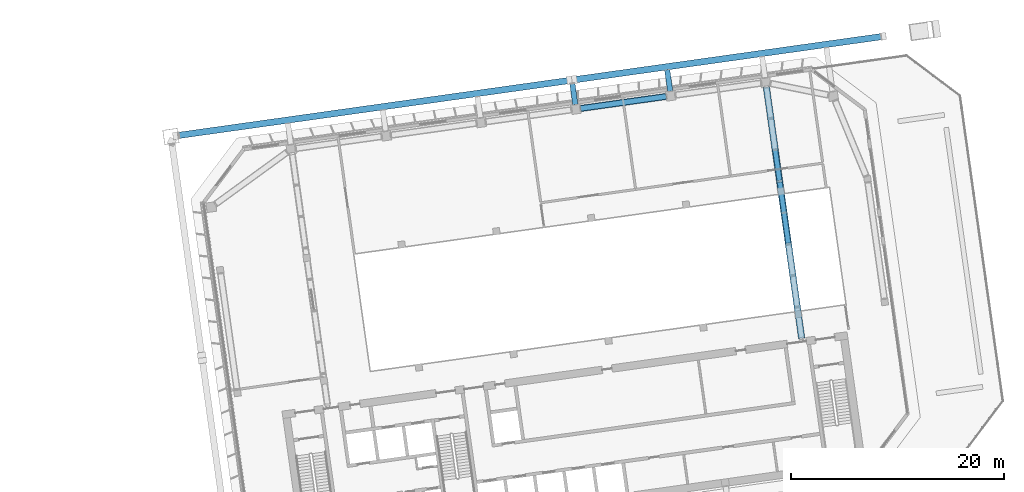
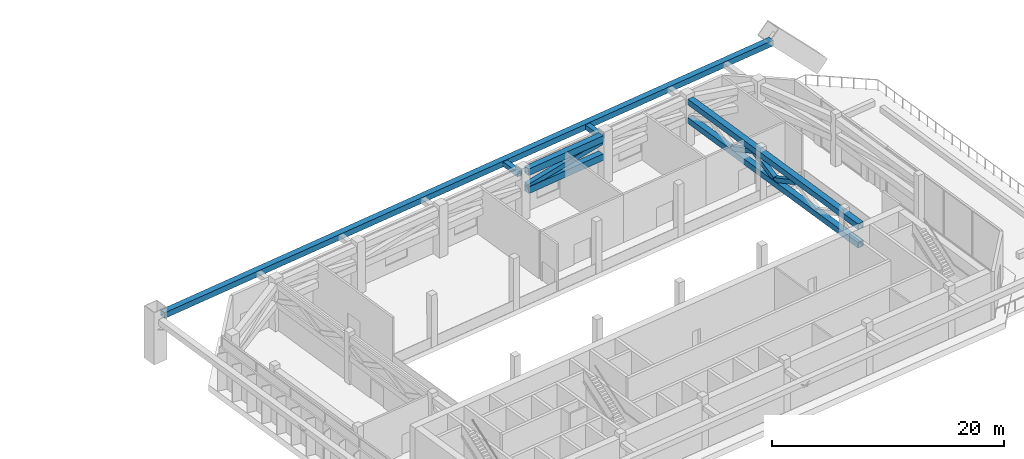
# One storey, part 17 of 41: 11 members.
"""IFC4 building model written with IfcOpenShell, lengths in metres."""

from ifc_helpers import new_model, si_unit, direction, frame, origin, origin_2d, place, context, subcontext, project, spatial, hollow_rectangle, extrude, material, material_profile, profile_set, type_object, element, save


model = new_model("IFC4")

# Units and contexts
model_context = context("Model", 3, precision=1e-05, world=origin(), true_north=direction((0.0, 1.0)))
body_context = subcontext(model_context, "Body", "Model", "MODEL_VIEW")
ifc_project = project(units=[si_unit("LENGTHUNIT", "METRE"), si_unit("AREAUNIT", "SQUARE_METRE"), si_unit("VOLUMEUNIT", "CUBIC_METRE"), si_unit("PLANEANGLEUNIT", "RADIAN"), si_unit("MASSUNIT", "GRAM", prefix="KILO")], contexts=[model_context])

# Site, building, storey
site_placement = place(None, origin())
site = spatial("IfcSite", under=ifc_project, at=site_placement, CompositionType="ELEMENT")
building_placement = place(site_placement, origin())
building = spatial("IfcBuilding", under=site, at=building_placement, Name="Mirante Cascada Hotel Towers", CompositionType="ELEMENT")
storey_placement = place(building_placement, frame((0.0, 0.0, 151.9)))
storey = spatial("IfcBuildingStorey", under=building, at=storey_placement, Name="L35", CompositionType="ELEMENT", Elevation=151.9)

# Members
ifc_material_1 = material(Name="Steel ASTM A572 Gr 50", Category="steel")
ifc_material_profile_1 = material_profile(ifc_material_1, hollow_rectangle(XDim=0.6, YDim=0.6, WallThickness=0.04, at=origin_2d()), Name="Box chord 600x600x40 ASTM A572 Gr 50")
ifc_profile_set_1 = profile_set([ifc_material_profile_1], Name="Steel ASTM A572 Gr 50")
member_type_1 = type_object("IfcMemberType", Name="Box chord 600x600x40 ASTM A572 Gr 50", PredefinedType="CHORD", material=ifc_profile_set_1)
member_1_placement = place(storey_placement, frame((25.8338, 18.6209, 4.35), z_axis=(0.9902682, 0.1391722, 0.0), x_axis=(-0.1391722, 0.9902682, 0.0)))
element("IfcMember", 1, at=member_1_placement, inside=storey, type_object=member_type_1, Name="exochord T2 L35 1", PredefinedType="CHORD", context=body_context, shape_type="SweptSolid", body=[
    extrude(hollow_rectangle(XDim=0.6, YDim=0.6, WallThickness=0.04, at=origin_2d()), origin(), (0.0, 0.0, 1.0), 66.5887),
])
ifc_material_2 = material(Name="Steel ASTM A572 Gr 50", Category="steel")
ifc_material_profile_2 = material_profile(ifc_material_2, hollow_rectangle(XDim=0.6, YDim=0.6, WallThickness=0.045, at=origin_2d()), Name="Box chord 600x600x45 ASTM A572 Gr 50")
ifc_profile_set_2 = profile_set([ifc_material_profile_2], Name="Steel ASTM A572 Gr 50")
member_type_2 = type_object("IfcMemberType", Name="Box chord 600x600x45 ASTM A572 Gr 50", PredefinedType="CHORD", material=ifc_profile_set_2)
for number, where, z_axis, x_axis, name in (
    (2, (84.3137, -0.456, 2.8), (-0.1391739, 0.9902679, 0.0), (-0.9902679, -0.1391739, 0.0), "outrigger T2 L35 11"),
    (3, (84.3137, -0.456, 4.75), (-0.1391739, 0.9902679, 0.0), (-0.9902679, -0.1391739, 0.0), "outrigger T2 L35 12"),
):
    element("IfcMember", number, at=place(storey_placement, frame(where, z_axis=z_axis, x_axis=x_axis)), inside=storey, type_object=member_type_2, Name=name, PredefinedType="CHORD", context=body_context, shape_type="SweptSolid", body=[
        extrude(hollow_rectangle(XDim=0.6, YDim=0.6, WallThickness=0.045, at=origin_2d()), origin(), (0.0, 0.0, 1.0), 23.85),
    ])
ifc_material_3 = material(Name="Steel ASTM A572 Gr 50", Category="steel")
ifc_material_profile_3 = material_profile(ifc_material_3, hollow_rectangle(XDim=0.6, YDim=0.7, WallThickness=0.05, at=origin_2d()), Name="Box chord 700x600x50 ASTM A572 Gr 50")
ifc_profile_set_3 = profile_set([ifc_material_profile_3], Name="Steel ASTM A572 Gr 50")
member_type_3 = type_object("IfcMemberType", Name="Box chord 700x600x50 ASTM A572 Gr 50", PredefinedType="CHORD", material=ifc_profile_set_3)
for number, where, z_axis, x_axis, name in (
    (4, (63.5356, 21.1425, 4.7), (0.990269, 0.1391662, 0.0), (-0.1391662, 0.990269, 0.0), "belt T2 L35 13"),
    (5, (63.5356, 21.1425, 2.8), (0.990269, 0.1391662, 0.0), (-0.1391662, 0.990269, 0.0), "belt T2 L35 14"),
):
    element("IfcMember", number, at=place(storey_placement, frame(where, z_axis=z_axis, x_axis=x_axis)), inside=storey, type_object=member_type_3, Name=name, PredefinedType="CHORD", context=body_context, shape_type="SweptSolid", body=[
        extrude(hollow_rectangle(XDim=0.6, YDim=0.7, WallThickness=0.05, at=origin_2d()), origin(), (0.0, 0.0, 1.0), 8.1399),
    ])
ifc_material_4 = material(Name="Steel ASTM A572 Gr 50", Category="steel")
ifc_material_profile_4 = material_profile(ifc_material_4, hollow_rectangle(XDim=0.45, YDim=0.45, WallThickness=0.03, at=origin_2d()), Name="Box diagonal 450x450x30 ASTM A572 Gr 50")
ifc_profile_set_4 = profile_set([ifc_material_profile_4], Name="Steel ASTM A572 Gr 50")
member_type_4 = type_object("IfcMemberType", Name="Box diagonal 450x450x30 ASTM A572 Gr 50", PredefinedType="BRACE", material=ifc_profile_set_4)
member_2_placement = place(storey_placement, frame((83.069, 8.4007, 4.45), z_axis=(-0.1268052, 0.9020893, -0.4124989), x_axis=(-0.9902643, -0.1391998, 0.0)))
element("IfcMember", 6, at=member_2_placement, inside=storey, type_object=member_type_4, Name="outrigger T2 L35 16", PredefinedType="BRACE", context=body_context, shape_type="SweptSolid", body=[
    extrude(hollow_rectangle(XDim=0.45, YDim=0.45, WallThickness=0.03, at=origin_2d()), origin(), (0.0, 0.0, 1.0), 3.2727),
])
member_3_placement = place(storey_placement, frame((82.654, 11.353, 3.1), z_axis=(-0.1267787, 0.9020871, 0.4125119), x_axis=(-0.9902683, -0.1391716, 0.0)))
element("IfcMember", 7, at=member_3_placement, inside=storey, type_object=member_type_4, Name="outrigger T2 L35 17", PredefinedType="BRACE", context=body_context, shape_type="SweptSolid", body=[
    extrude(hollow_rectangle(XDim=0.45, YDim=0.45, WallThickness=0.03, at=origin_2d()), origin(), (0.0, 0.0, 1.0), 3.2726),
])
member_4_placement = place(storey_placement, frame((82.2391, 14.3052, 4.45), z_axis=(-0.1267752, 0.9020928, -0.4125005), x_axis=(-0.9902689, -0.1391669, 0.0)))
element("IfcMember", 8, at=member_4_placement, inside=storey, type_object=member_type_4, Name="outrigger T2 L35 18", PredefinedType="BRACE", context=body_context, shape_type="SweptSolid", body=[
    extrude(hollow_rectangle(XDim=0.45, YDim=0.45, WallThickness=0.03, at=origin_2d()), origin(), (0.0, 0.0, 1.0), 3.2727),
])
ifc_material_5 = material(Name="Steel ASTM A572 Gr 50", Category="steel")
ifc_material_profile_5 = material_profile(ifc_material_5, hollow_rectangle(XDim=0.5, YDim=0.5, WallThickness=0.035, at=origin_2d()), Name="Box diagonal 500x500x35 ASTM A572 Gr 50")
ifc_profile_set_5 = profile_set([ifc_material_profile_5], Name="Steel ASTM A572 Gr 50")
member_type_5 = type_object("IfcMemberType", Name="Box diagonal 500x500x35 ASTM A572 Gr 50", PredefinedType="BRACE", material=ifc_profile_set_5)
member_5_placement = place(storey_placement, frame((63.5356, 21.1425, 3.15), z_axis=(0.9796805, 0.1376781, 0.1458455), x_axis=(-0.1391662, 0.990269, 0.0)))
element("IfcMember", 9, at=member_5_placement, inside=storey, type_object=member_type_5, Name="belt T2 L35 15", PredefinedType="BRACE", context=body_context, shape_type="SweptSolid", body=[
    extrude(hollow_rectangle(XDim=0.5, YDim=0.5, WallThickness=0.035, at=origin_2d()), origin(), (0.0, 0.0, 1.0), 8.2279),
])
ifc_material_6 = material(Name="Steel ASTM A572 Gr 50", Category="steel")
ifc_material_profile_6 = material_profile(ifc_material_6, hollow_rectangle(XDim=0.5, YDim=0.5, WallThickness=0.035, at=origin_2d()), Name="Box tie 500x500x35 ASTM A572 Gr 50")
ifc_profile_set_6 = profile_set([ifc_material_profile_6], Name="Steel ASTM A572 Gr 50")
member_type_6 = type_object("IfcMemberType", Name="Box tie 500x500x35 ASTM A572 Gr 50", PredefinedType="STRUT", material=ifc_profile_set_6)
member_6_placement = place(storey_placement, frame((63.0499, 21.5084, 4.35), z_axis=(-0.1391632, 0.9902695, 0.0), x_axis=(-0.9902695, -0.1391632, 0.0)))
element("IfcMember", 10, at=member_6_placement, inside=storey, type_object=member_type_6, Name="tie T2 L35 7", PredefinedType="STRUT", context=body_context, shape_type="SweptSolid", body=[
    extrude(hollow_rectangle(XDim=0.5, YDim=0.5, WallThickness=0.035, at=origin_2d()), origin(), (0.0, 0.0, 1.0), 2.0401),
])
member_7_placement = place(storey_placement, frame((71.9623, 22.761, 4.35), z_axis=(-0.13917, 0.9902685, 0.0), x_axis=(-0.9902685, -0.13917, 0.0)))
element("IfcMember", 11, at=member_7_placement, inside=storey, type_object=member_type_6, Name="tie T2 L35 9", PredefinedType="STRUT", context=body_context, shape_type="SweptSolid", body=[
    extrude(hollow_rectangle(XDim=0.5, YDim=0.5, WallThickness=0.035, at=origin_2d()), origin(), (0.0, 0.0, 1.0), 2.04),
])

save(model, "model.ifc")
